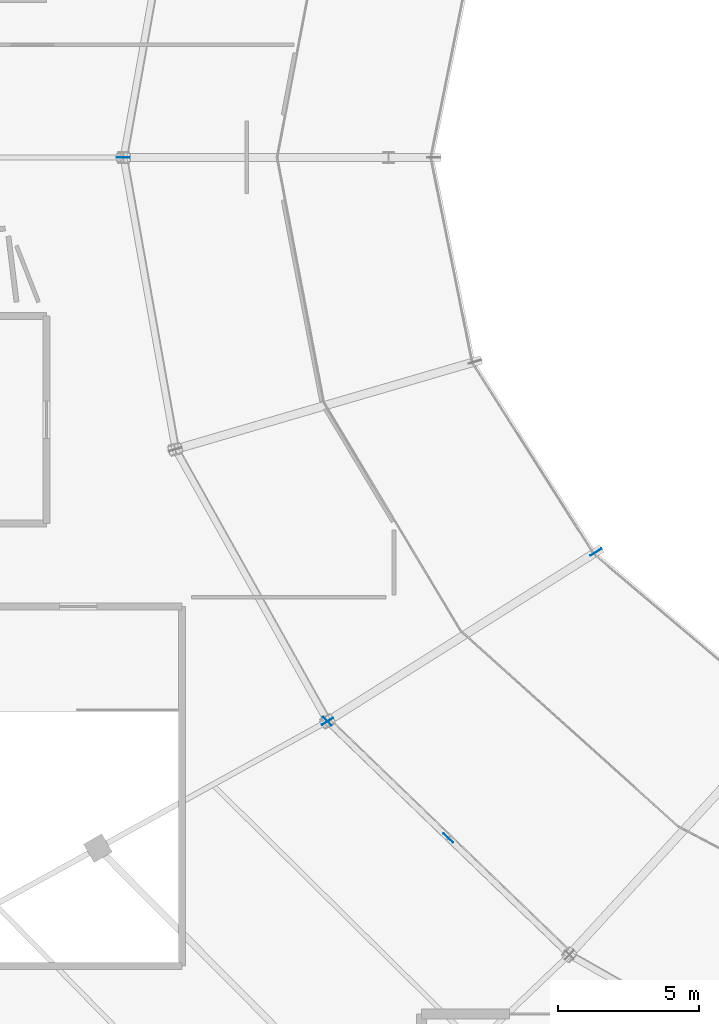
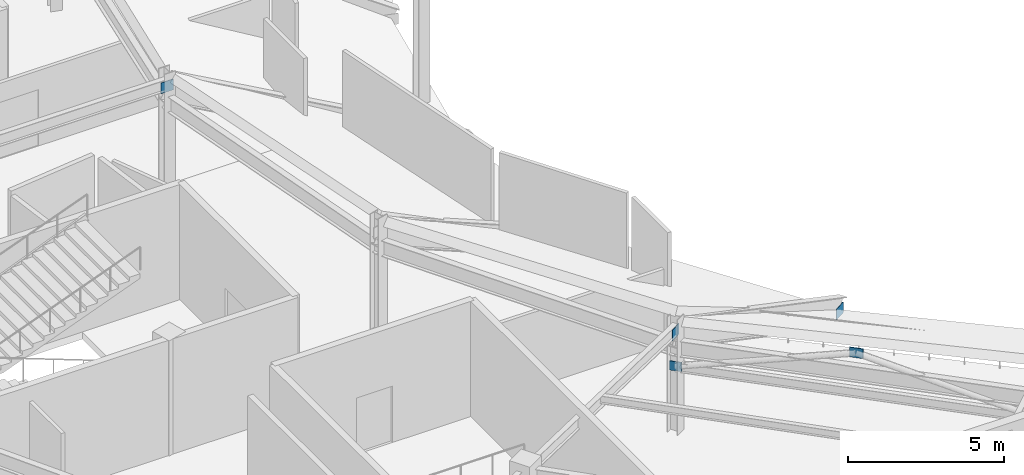
# One storey, part 19 of 63: 5 plates.
"""IFC4 building model written with IfcOpenShell, lengths in metres."""

from ifc_helpers import new_model, si_unit, direction, frame, origin, origin_2d, place, context, subcontext, project, spatial, rectangle, extrude, material, layer, layer_set, type_object, element, save


model = new_model("IFC4")

# Units and contexts
model_context = context("Model", 3, precision=1e-05, world=origin(), true_north=direction((0.0, 1.0)))
body_context = subcontext(model_context, "Body", "Model", "MODEL_VIEW")
ifc_project = project(units=[si_unit("LENGTHUNIT", "METRE"), si_unit("AREAUNIT", "SQUARE_METRE"), si_unit("VOLUMEUNIT", "CUBIC_METRE"), si_unit("PLANEANGLEUNIT", "RADIAN"), si_unit("MASSUNIT", "GRAM", prefix="KILO")], contexts=[model_context])

# Site, building, storey
site_placement = place(None, origin())
site = spatial("IfcSite", under=ifc_project, at=site_placement, CompositionType="ELEMENT")
building_placement = place(site_placement, origin())
building = spatial("IfcBuilding", under=site, at=building_placement, Name="Kalgoora Escarpment Arena", CompositionType="ELEMENT")
storey_placement = place(building_placement, frame((0.0, 0.0, 14.39990234375)))
storey = spatial("IfcBuildingStorey", under=building, at=storey_placement, Name="L03", CompositionType="ELEMENT", Elevation=14.39990234375)

# Plates
ifc_material = material(Name="Structural steel Grade 350 (350 MPa)", Category="steel")
ifc_layer = layer(ifc_material, 0.02490234375)
ifc_layer_set = layer_set([ifc_layer], Name="PLT-GUSSET-25")
plate_type = type_object("IfcPlateType", Name="PLT-GUSSET-25", PredefinedType="USERDEFINED", material=ifc_layer_set)
for number, where, z_axis, x_axis, name in (
    (1, (38.39990234375, 64.0, 3.64013671875), (0.0, 0.0, 1.0), (-1.0, 0.0, 0.0), "Upper bowl raker wall embedment plate R13"),
    (2, (55.160888671875, 50.0, -2.509765625), (0.0, 0.0, 1.0), (-0.846193166128, -0.532876276071, 0.0), "Upper bowl raker inner end plate R15"),
    (3, (45.634521484375, 44.0, 3.64013671875), (0.0, 0.0, 1.0), (-0.846193166128, -0.532876276071, 0.0), "Upper bowl raker wall embedment plate R15"),
):
    element("IfcPlate", number, at=place(storey_placement, frame(where, z_axis=z_axis, x_axis=x_axis)), inside=storey, type_object=plate_type, Name=name, ObjectType="FLANGE PLATE", PredefinedType="USERDEFINED", context=body_context, shape_type="SweptSolid", body=[
        extrude(rectangle(XDim=0.4599609375, YDim=0.02490234375, at=origin_2d()), origin(), (0.0, 0.0, 1.0), 0.419921875),
    ])
plate_1_placement = place(storey_placement, frame((49.92529296875, 39.85791015625, 3.860107421875), z_axis=(0.0, 0.0, 1.0), x_axis=(0.719461030139, -0.6945328114, 0.0)))
element("IfcPlate", 4, at=plate_1_placement, inside=storey, type_object=plate_type, Name="L03 chevron gusset cap plate R15", ObjectType="FLANGE PLATE", PredefinedType="USERDEFINED", context=body_context, shape_type="SweptSolid", body=[
    extrude(rectangle(XDim=0.4599609375, YDim=0.02490234375, at=origin_2d()), origin(), (0.0, 0.0, 1.0), 0.3798828125),
])
plate_2_placement = place(storey_placement, frame((45.634521484375, 44.0, 2.33984375), z_axis=(0.0, 0.0, 1.0), x_axis=(0.719339800339, -0.694658370459, 0.0)))
element("IfcPlate", 5, at=plate_2_placement, inside=storey, type_object=plate_type, Name="Brace and post end gusset plate 029", ObjectType="FLANGE PLATE", PredefinedType="USERDEFINED", context=body_context, shape_type="SweptSolid", body=[
    extrude(rectangle(XDim=0.419921875, YDim=0.02490234375, at=origin_2d()), origin(), (0.0, 0.0, 1.0), 0.360107421875),
])

save(model, "model.ifc")
